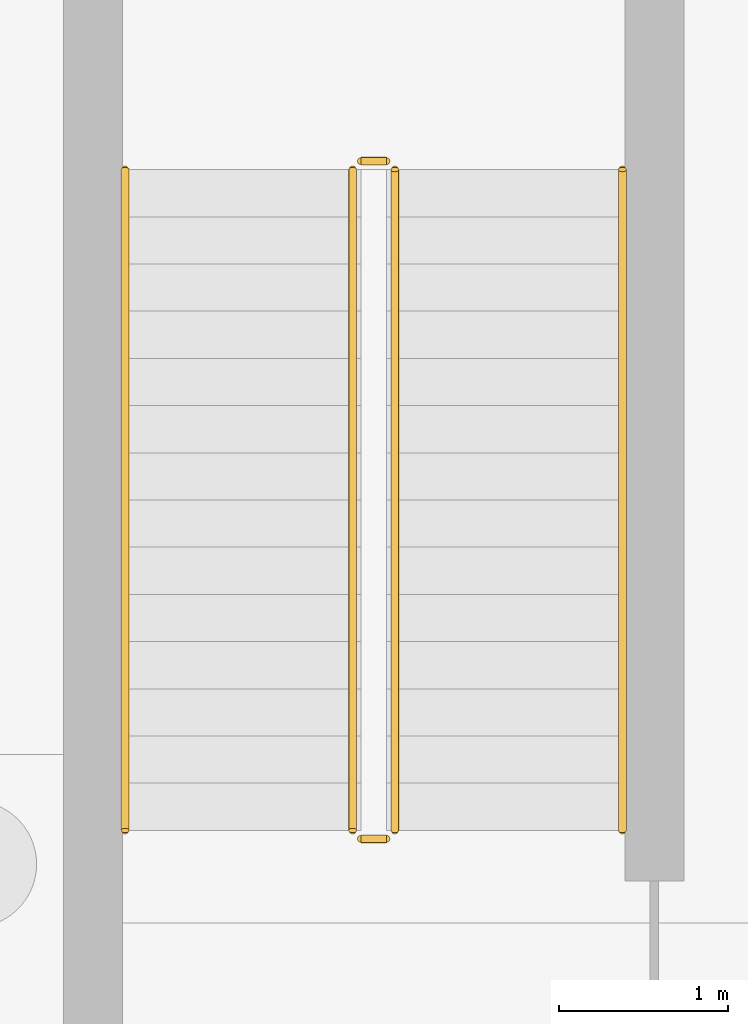
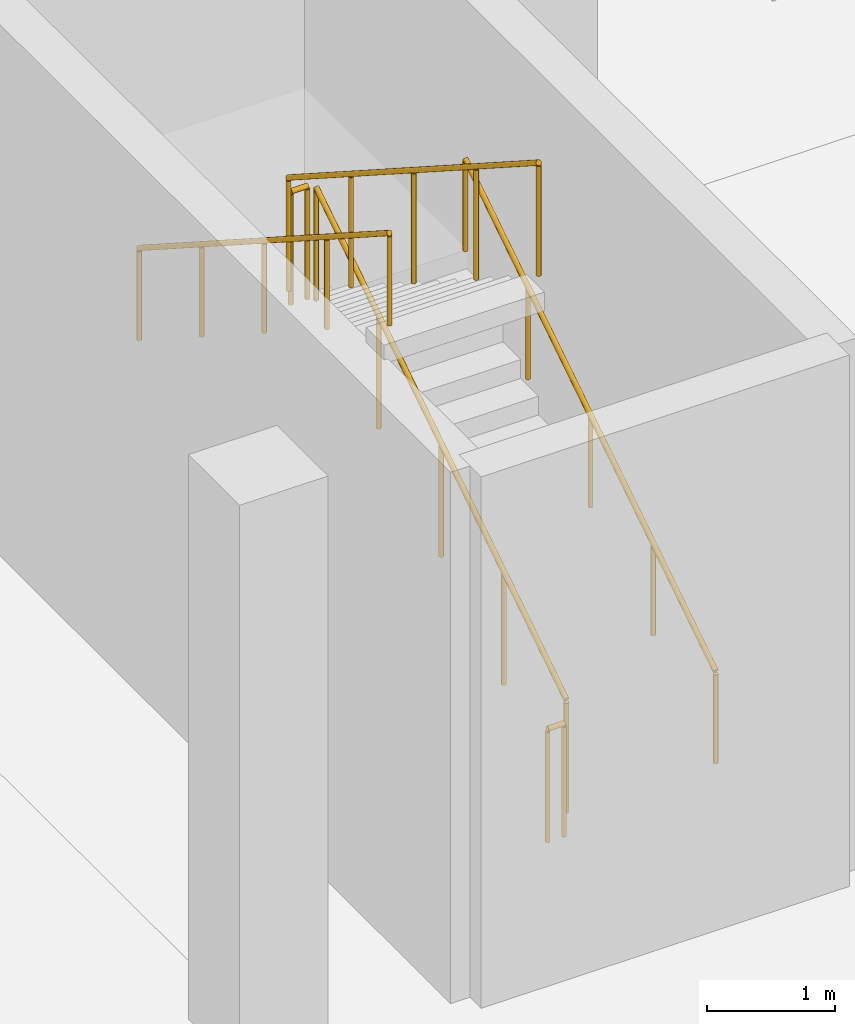
# One storey, part 35 of 42: 6 railings.
"""IFC4 building model written with IfcOpenShell, lengths in metres."""

from ifc_helpers import new_model, si_unit, direction, frame, origin, origin_2d, place, context, subcontext, project, spatial, circle, extrude, material, type_object, element, save


model = new_model("IFC4")

# Units and contexts
model_context = context("Model", 3, precision=1e-05, world=origin(), true_north=direction((0.0, 1.0)))
body_context = subcontext(model_context, "Body", "Model", "MODEL_VIEW")
ifc_project = project(units=[si_unit("LENGTHUNIT", "METRE"), si_unit("AREAUNIT", "SQUARE_METRE"), si_unit("VOLUMEUNIT", "CUBIC_METRE"), si_unit("PLANEANGLEUNIT", "RADIAN"), si_unit("MASSUNIT", "GRAM", prefix="KILO")], contexts=[model_context])

# Site, building, storey
site_placement = place(None, origin())
site = spatial("IfcSite", under=ifc_project, at=site_placement, CompositionType="ELEMENT")
building_placement = place(site_placement, origin())
building = spatial("IfcBuilding", under=site, at=building_placement, Name="Sundgate Opera House", CompositionType="ELEMENT")
storey_placement = place(building_placement, frame((0.0, 0.0, -5.39990234375)))
storey = spatial("IfcBuildingStorey", under=building, at=storey_placement, Name="B01", CompositionType="ELEMENT", Elevation=-5.39990234375)

# Railings
ifc_material_1 = material(Name="Painted steel S275 guardrail", Category="steel")
railing_type_1 = type_object("IfcRailingType", Name="RL-STAIR-GUARD-1100", PredefinedType="GUARDRAIL", material=ifc_material_1)
railing_1_placement = place(storey_placement, frame((98.85009765625, 25.89990234375, 0.179931640625)))
element("IfcRailing", 1, at=railing_1_placement, inside=storey, type_object=railing_type_1, Name="ST07B01 Guardrail RL0232", PredefinedType="GUARDRAIL", context=body_context, shape_type="SweptSolid", body=[
    extrude(circle(Radius=0.02392578125, at=origin_2d()), frame((0.0, 0.0, 1.076171875), z_axis=(0.0, 0.841186985886, 0.540744352514), x_axis=(-1.0, 0.0, 0.0)), (0.0, 0.0, 1.0), 4.660400390625),
    extrude(circle(Radius=0.02099609375, at=origin_2d()), origin(), (0.0, 0.0, 1.0), 1.052001953125),
    extrude(circle(Radius=0.02099609375, at=origin_2d()), frame((0.0, 0.97998046875, 0.6298828125)), (0.0, 0.0, 1.0), 1.052001953125),
    extrude(circle(Radius=0.02099609375, at=origin_2d()), frame((0.0, 1.9599609375, 1.260009765625)), (0.0, 0.0, 1.0), 1.052001953125),
    extrude(circle(Radius=0.02099609375, at=origin_2d()), frame((0.0, 2.940185546875, 1.89013671875)), (0.0, 0.0, 1.0), 1.052001953125),
    extrude(circle(Radius=0.02099609375, at=origin_2d()), frame((0.0, 3.920166015625, 2.52001953125)), (0.0, 0.0, 1.0), 1.052001953125),
])
railing_2_placement = place(storey_placement, frame((98.800048828125, 29.8701171875, 2.699951171875)))
element("IfcRailing", 2, at=railing_2_placement, inside=storey, type_object=railing_type_1, Name="ST07B01 Guardrail RL0233", PredefinedType="GUARDRAIL", context=body_context, shape_type="SweptSolid", body=[
    extrude(circle(Radius=0.02392578125, at=origin_2d()), frame((0.0, 0.0, 1.076171875), z_axis=(-1.0, 0.0, 0.0), x_axis=(0.0, -1.0, 0.0)), (0.0, 0.0, 1.0), 0.150146484375),
    extrude(circle(Radius=0.02099609375, at=origin_2d()), origin(), (0.0, 0.0, 1.0), 1.052001953125),
    extrude(circle(Radius=0.02099609375, at=origin_2d()), frame((-0.150146484375, 0.0, 0.0)), (0.0, 0.0, 1.0), 1.052001953125),
])
railing_3_placement = place(storey_placement, frame((98.60009765625, 29.820068359375, 2.8798828125)))
element("IfcRailing", 3, at=railing_3_placement, inside=storey, type_object=railing_type_1, Name="ST07B01 Guardrail RL0234", PredefinedType="GUARDRAIL", context=body_context, shape_type="SweptSolid", body=[
    extrude(circle(Radius=0.02392578125, at=origin_2d()), frame((0.0, 0.0, 1.076171875), z_axis=(0.0, -0.841186985886, 0.540744352514), x_axis=(1.0, 0.0, 0.0)), (0.0, 0.0, 1.0), 4.660400390625),
    extrude(circle(Radius=0.02099609375, at=origin_2d()), origin(), (0.0, 0.0, 1.0), 1.052001953125),
    extrude(circle(Radius=0.02099609375, at=origin_2d()), frame((0.0, -0.97998046875, 0.6298828125)), (0.0, 0.0, 1.0), 1.052001953125),
    extrude(circle(Radius=0.02099609375, at=origin_2d()), frame((0.0, -1.9599609375, 1.260009765625)), (0.0, 0.0, 1.0), 1.052001953125),
    extrude(circle(Radius=0.02099609375, at=origin_2d()), frame((0.0, -2.940185546875, 1.89013671875)), (0.0, 0.0, 1.0), 1.052001953125),
    extrude(circle(Radius=0.02099609375, at=origin_2d()), frame((0.0, -3.920166015625, 2.52001953125)), (0.0, 0.0, 1.0), 1.052001953125),
])
railing_4_placement = place(storey_placement, frame((98.800048828125, 25.85009765625, 0.0)))
element("IfcRailing", 4, at=railing_4_placement, inside=storey, type_object=railing_type_1, Name="ST07B01 Guardrail RL0235", PredefinedType="GUARDRAIL", context=body_context, shape_type="SweptSolid", body=[
    extrude(circle(Radius=0.02392578125, at=origin_2d()), frame((0.0, 0.0, 1.076171875), z_axis=(-1.0, 0.0, 0.0), x_axis=(0.0, -1.0, 0.0)), (0.0, 0.0, 1.0), 0.150146484375),
    extrude(circle(Radius=0.02099609375, at=origin_2d()), origin(), (0.0, 0.0, 1.0), 1.052001953125),
    extrude(circle(Radius=0.02099609375, at=origin_2d()), frame((-0.150146484375, 0.0, 0.0)), (0.0, 0.0, 1.0), 1.052001953125),
])
ifc_material_2 = material(Name="Brushed stainless steel handrail", Category="steel")
railing_type_2 = type_object("IfcRailingType", Name="RL-STAIR-HAND-900", PredefinedType="HANDRAIL", material=ifc_material_2)
railing_5_placement = place(storey_placement, frame((100.199951171875, 25.89990234375, 0.179931640625)))
element("IfcRailing", 5, at=railing_5_placement, inside=storey, type_object=railing_type_2, Name="ST07B01 Handrail RL0236", PredefinedType="HANDRAIL", context=body_context, shape_type="SweptSolid", body=[
    extrude(circle(Radius=0.02392578125, at=origin_2d()), frame((0.0, 0.0, 0.8759765625), z_axis=(0.0, 0.841186985886, 0.540744352514), x_axis=(-1.0, 0.0, 0.0)), (0.0, 0.0, 1.0), 4.660400390625),
    extrude(circle(Radius=0.02099609375, at=origin_2d()), origin(), (0.0, 0.0, 1.0), 0.851806640625),
    extrude(circle(Radius=0.02099609375, at=origin_2d()), frame((0.0, 0.97998046875, 0.6298828125)), (0.0, 0.0, 1.0), 0.851806640625),
    extrude(circle(Radius=0.02099609375, at=origin_2d()), frame((0.0, 1.9599609375, 1.260009765625)), (0.0, 0.0, 1.0), 0.851806640625),
    extrude(circle(Radius=0.02099609375, at=origin_2d()), frame((0.0, 2.940185546875, 1.89013671875)), (0.0, 0.0, 1.0), 0.851806640625),
    extrude(circle(Radius=0.02099609375, at=origin_2d()), frame((0.0, 3.920166015625, 2.52001953125)), (0.0, 0.0, 1.0), 0.851806640625),
])
railing_6_placement = place(storey_placement, frame((97.25, 29.820068359375, 2.8798828125)))
element("IfcRailing", 6, at=railing_6_placement, inside=storey, type_object=railing_type_2, Name="ST07B01 Handrail RL0237", PredefinedType="HANDRAIL", context=body_context, shape_type="SweptSolid", body=[
    extrude(circle(Radius=0.02392578125, at=origin_2d()), frame((0.0, 0.0, 0.8759765625), z_axis=(0.0, -0.841186985886, 0.540744352514), x_axis=(1.0, 0.0, 0.0)), (0.0, 0.0, 1.0), 4.660400390625),
    extrude(circle(Radius=0.02099609375, at=origin_2d()), origin(), (0.0, 0.0, 1.0), 0.851806640625),
    extrude(circle(Radius=0.02099609375, at=origin_2d()), frame((0.0, -0.97998046875, 0.6298828125)), (0.0, 0.0, 1.0), 0.851806640625),
    extrude(circle(Radius=0.02099609375, at=origin_2d()), frame((0.0, -1.9599609375, 1.260009765625)), (0.0, 0.0, 1.0), 0.851806640625),
    extrude(circle(Radius=0.02099609375, at=origin_2d()), frame((0.0, -2.940185546875, 1.89013671875)), (0.0, 0.0, 1.0), 0.851806640625),
    extrude(circle(Radius=0.02099609375, at=origin_2d()), frame((0.0, -3.920166015625, 2.52001953125)), (0.0, 0.0, 1.0), 0.851806640625),
])

save(model, "model.ifc")
